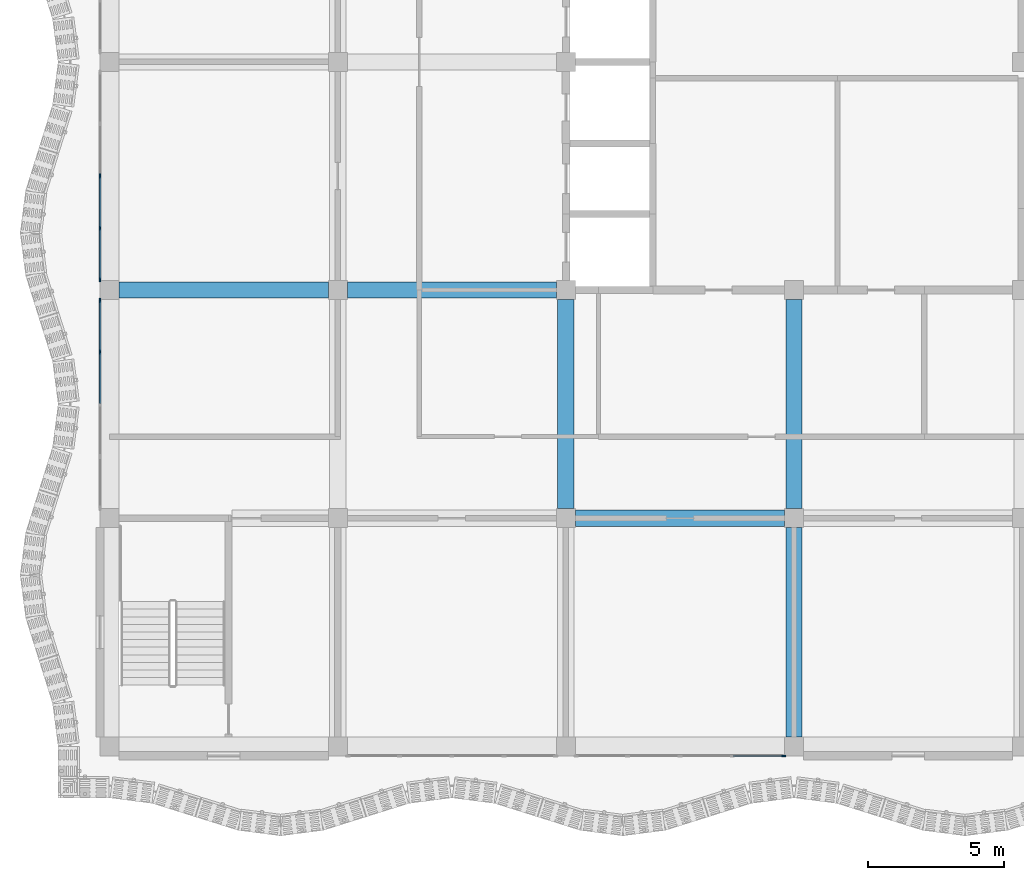
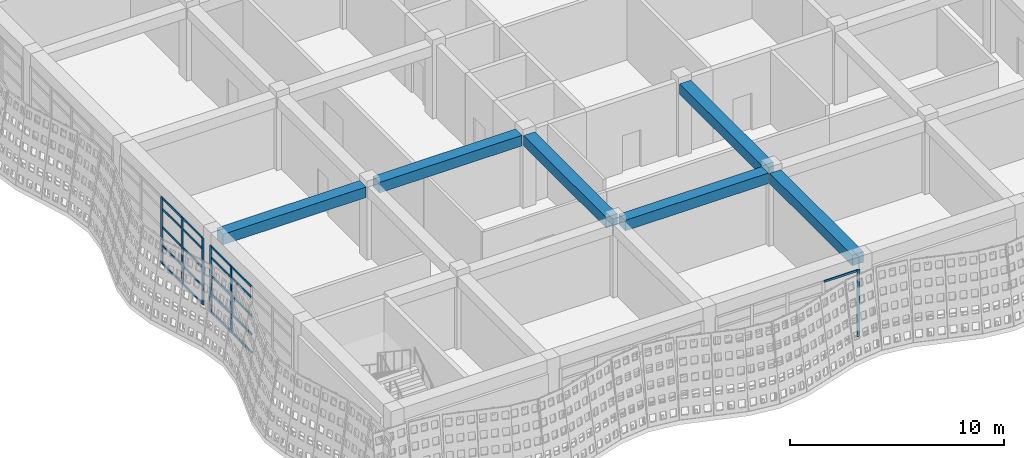
# One storey, part 17 of 162: 27 members, 6 beams, 3 elements without a shape of their own.
"""IFC4 building model written with IfcOpenShell, lengths in metres."""

from ifc_helpers import new_model, si_unit, direction, frame, origin, origin_2d, place, context, subcontext, project, spatial, rectangle, extrude, material, material_profile, profile_set, type_object, element, aggregate, save


model = new_model("IFC4")

# Units and contexts
model_context = context("Model", 3, precision=1e-05, world=origin(), true_north=direction((0.0, 1.0)))
body_context = subcontext(model_context, "Body", "Model", "MODEL_VIEW")
ifc_project = project(units=[si_unit("LENGTHUNIT", "METRE"), si_unit("AREAUNIT", "SQUARE_METRE"), si_unit("VOLUMEUNIT", "CUBIC_METRE"), si_unit("PLANEANGLEUNIT", "RADIAN"), si_unit("MASSUNIT", "GRAM", prefix="KILO")], contexts=[model_context])

# Site, building, storey
site_placement = place(None, origin())
site = spatial("IfcSite", under=ifc_project, at=site_placement, CompositionType="ELEMENT")
building_placement = place(site_placement, origin())
building = spatial("IfcBuilding", under=site, at=building_placement, Name="Rain Tree Exposition and Congress Centre", CompositionType="ELEMENT")
storey_placement = place(building_placement, frame((0.0, 0.0, 6.0)))
storey = spatial("IfcBuildingStorey", under=building, at=storey_placement, Name="L01", CompositionType="ELEMENT", Elevation=6.0)

# Beams
ifc_material_1 = material(Name="Precast concrete C50/60", Category="concrete")
ifc_material_profile_1 = material_profile(ifc_material_1, rectangle(XDim=0.60009765625, YDim=0.60009765625, at=origin_2d()), Name="RC 600x600")
ifc_profile_set_1 = profile_set([ifc_material_profile_1], Name="Precast concrete C50/60")
beam_type = type_object("IfcBeamType", Name="Precast beam 600x600", PredefinedType="BEAM", material=ifc_profile_set_1)
beam_placement = place(storey_placement, frame((17.14990234375, 8.39990234375, 3.85009765625), z_axis=(1.0, 0.0, 0.0), x_axis=(0.0, 1.0, 0.0)))
element("IfcBeam", 1, at=beam_placement, inside=storey, type_object=beam_type, Name="wing/beam/L01/L02/017", PredefinedType="BEAM", context=body_context, shape_type="SweptSolid", body=[
    extrude(rectangle(XDim=0.60009765625, YDim=0.60009765625, at=origin_2d()), origin(), (0.0, 0.0, 1.0), 7.7001953125),
])
for number, where, z_axis, x_axis, name in (
    (2, (0.35009765625, 16.800048828125, 3.85009765625), (1.0, 0.0, 0.0), (0.0, 1.0, 0.0), "wing/beam/L01/L02/025"),
    (3, (8.75, 16.800048828125, 3.85009765625), (1.0, 0.0, 0.0), (0.0, 1.0, 0.0), "wing/beam/L01/L02/027"),
    (4, (16.800048828125, 8.75, 3.85009765625), (0.0, 1.0, 0.0), (-1.0, 0.0, 0.0), "wing/beam/L01/L02/028"),
    (5, (25.199951171875, 0.35009765625, 3.85009765625), (0.0, 1.0, 0.0), (-1.0, 0.0, 0.0), "wing/beam/L01/L02/034"),
    (6, (25.199951171875, 8.75, 3.85009765625), (0.0, 1.0, 0.0), (-1.0, 0.0, 0.0), "wing/beam/L01/L02/036"),
):
    element("IfcBeam", number, at=place(storey_placement, frame(where, z_axis=z_axis, x_axis=x_axis)), inside=storey, type_object=beam_type, Name=name, PredefinedType="BEAM", context=body_context, shape_type="SweptSolid", body=[
        extrude(rectangle(XDim=0.60009765625, YDim=0.60009765625, at=origin_2d()), origin(), (0.0, 0.0, 1.0), 7.699951171875),
    ])

# Curtain wall, member
ifc_material_2 = material(Name="Aluminium curtain wall", Category="aluminium")
curtain_wall_type = type_object("IfcCurtainWallType", Name="Wing curtain wall 1925", PredefinedType="NOTDEFINED", material=ifc_material_2)
curtain_wall_1_placement = place(storey_placement, origin())
curtain_wall_1 = element("IfcCurtainWall", 7, at=curtain_wall_1_placement, inside=storey, type_object=curtain_wall_type, Name="Curtain wall CWW202", PredefinedType="NOTDEFINED")
ifc_material_3 = material(Name="Aluminium", Category="aluminium")
ifc_material_profile_2 = material_profile(ifc_material_3, rectangle(XDim=0.06005859375, YDim=0.159912109375, at=origin_2d()), Name="Aluminium 60x160")
ifc_profile_set_2 = profile_set([ifc_material_profile_2], Name="Aluminium")
member_type_1 = type_object("IfcMemberType", Name="Wing mullion 60x160", PredefinedType="MULLION", material=ifc_profile_set_2)
member_1_placement = place(storey_placement, frame((24.820068359375, -0.35009765625, 0.0), z_axis=(0.0, 0.0, 1.0), x_axis=(0.0, 1.0, 0.0)))
member_1 = element("IfcMember", 8, at=member_1_placement, type_object=member_type_1, Name="CWW202 mullion 5", PredefinedType="MULLION", context=body_context, shape_type="SweptSolid", body=[
    extrude(rectangle(XDim=0.06005859375, YDim=0.159912109375, at=origin_2d()), origin(), (0.0, 0.0, 1.0), 3.800048828125),
])

# Curtain wall, members
curtain_wall_2_placement = place(storey_placement, origin())
curtain_wall_2 = element("IfcCurtainWall", 9, at=curtain_wall_2_placement, inside=storey, type_object=curtain_wall_type, Name="Curtain wall CWW208", PredefinedType="NOTDEFINED")
member_2_placement = place(storey_placement, frame((-0.35009765625, 14.52490234375, 0.0), z_axis=(0.0, 0.0, 1.0), x_axis=(-1.0, 0.0, 0.0)))
member_2 = element("IfcMember", 10, at=member_2_placement, type_object=member_type_1, Name="CWW208 mullion 4", PredefinedType="MULLION", context=body_context, shape_type="SweptSolid", body=[
    extrude(rectangle(XDim=0.06005859375, YDim=0.159912109375, at=origin_2d()), origin(), (0.0, 0.0, 1.0), 3.800048828125),
])
member_3_placement = place(storey_placement, frame((-0.35009765625, 16.419921875, 0.0), z_axis=(0.0, 0.0, 1.0), x_axis=(-1.0, 0.0, 0.0)))
member_3 = element("IfcMember", 11, at=member_3_placement, type_object=member_type_1, Name="CWW208 mullion 5", PredefinedType="MULLION", context=body_context, shape_type="SweptSolid", body=[
    extrude(rectangle(XDim=0.06005859375, YDim=0.159912109375, at=origin_2d()), origin(), (0.0, 0.0, 1.0), 3.800048828125),
])

curtain_wall_3_placement = place(storey_placement, origin())
curtain_wall_3 = element("IfcCurtainWall", 12, at=curtain_wall_3_placement, inside=storey, type_object=curtain_wall_type, Name="Curtain wall CWW209", PredefinedType="NOTDEFINED")
member_4_placement = place(storey_placement, frame((-0.35009765625, 17.179931640625, 0.0), z_axis=(0.0, 0.0, 1.0), x_axis=(-1.0, 0.0, 0.0)))
member_4 = element("IfcMember", 13, at=member_4_placement, type_object=member_type_1, Name="CWW209 mullion 1", PredefinedType="MULLION", context=body_context, shape_type="SweptSolid", body=[
    extrude(rectangle(XDim=0.06005859375, YDim=0.159912109375, at=origin_2d()), origin(), (0.0, 0.0, 1.0), 3.800048828125),
])
member_5_placement = place(storey_placement, frame((-0.35009765625, 19.074951171875, 0.0), z_axis=(0.0, 0.0, 1.0), x_axis=(-1.0, 0.0, 0.0)))
member_5 = element("IfcMember", 14, at=member_5_placement, type_object=member_type_1, Name="CWW209 mullion 2", PredefinedType="MULLION", context=body_context, shape_type="SweptSolid", body=[
    extrude(rectangle(XDim=0.06005859375, YDim=0.159912109375, at=origin_2d()), origin(), (0.0, 0.0, 1.0), 3.800048828125),
])
member_6_placement = place(storey_placement, frame((-0.35009765625, 21.0, 0.0), z_axis=(0.0, 0.0, 1.0), x_axis=(-1.0, 0.0, 0.0)))
member_6 = element("IfcMember", 15, at=member_6_placement, type_object=member_type_1, Name="CWW209 mullion 3", PredefinedType="MULLION", context=body_context, shape_type="SweptSolid", body=[
    extrude(rectangle(XDim=0.06005859375, YDim=0.159912109375, at=origin_2d()), origin(), (0.0, 0.0, 1.0), 3.800048828125),
])

# Member
ifc_material_4 = material(Name="Aluminium", Category="aluminium")
ifc_material_profile_3 = material_profile(ifc_material_4, rectangle(XDim=0.06005859375, YDim=0.1201171875, at=origin_2d()), Name="Aluminium 60x120")
ifc_profile_set_3 = profile_set([ifc_material_profile_3], Name="Aluminium")
member_type_2 = type_object("IfcMemberType", Name="Wing transom 60x120", PredefinedType="USERDEFINED", material=ifc_profile_set_3)
member_7_placement = place(storey_placement, frame((22.955078125, -0.35009765625, 3.77001953125), z_axis=(1.0, 0.0, 0.0), x_axis=(0.0, 1.0, 0.0)))
member_7 = element("IfcMember", 16, at=member_7_placement, type_object=member_type_2, Name="CWW202 transom 4.5", ObjectType="TRANSOM", PredefinedType="USERDEFINED", context=body_context, shape_type="SweptSolid", body=[
    extrude(rectangle(XDim=0.06005859375, YDim=0.1201171875, at=origin_2d()), origin(), (0.0, 0.0, 1.0), 1.8349609375),
])

aggregate(curtain_wall_1, [member_1, member_7])

member_8_placement = place(storey_placement, frame((-0.35009765625, 12.6298828125, 0.030029296875), z_axis=(0.0, 1.0, 0.0), x_axis=(-1.0, 0.0, 0.0)))
member_8 = element("IfcMember", 17, at=member_8_placement, type_object=member_type_2, Name="CWW208 transom 3.1", ObjectType="TRANSOM", PredefinedType="USERDEFINED", context=body_context, shape_type="SweptSolid", body=[
    extrude(rectangle(XDim=0.06005859375, YDim=0.1201171875, at=origin_2d()), origin(), (0.0, 0.0, 1.0), 1.865234375),
])

member_9_placement = place(storey_placement, frame((-0.35009765625, 12.6298828125, 1.050048828125), z_axis=(0.0, 1.0, 0.0), x_axis=(-1.0, 0.0, 0.0)))
member_9 = element("IfcMember", 18, at=member_9_placement, type_object=member_type_2, Name="CWW208 transom 3.2", ObjectType="TRANSOM", PredefinedType="USERDEFINED", context=body_context, shape_type="SweptSolid", body=[
    extrude(rectangle(XDim=0.06005859375, YDim=0.1201171875, at=origin_2d()), origin(), (0.0, 0.0, 1.0), 1.865234375),
])

member_10_placement = place(storey_placement, frame((-0.35009765625, 12.6298828125, 2.10009765625), z_axis=(0.0, 1.0, 0.0), x_axis=(-1.0, 0.0, 0.0)))
member_10 = element("IfcMember", 19, at=member_10_placement, type_object=member_type_2, Name="CWW208 transom 3.3", ObjectType="TRANSOM", PredefinedType="USERDEFINED", context=body_context, shape_type="SweptSolid", body=[
    extrude(rectangle(XDim=0.06005859375, YDim=0.1201171875, at=origin_2d()), origin(), (0.0, 0.0, 1.0), 1.865234375),
])

member_11_placement = place(storey_placement, frame((-0.35009765625, 12.6298828125, 3.14990234375), z_axis=(0.0, 1.0, 0.0), x_axis=(-1.0, 0.0, 0.0)))
member_11 = element("IfcMember", 20, at=member_11_placement, type_object=member_type_2, Name="CWW208 transom 3.4", ObjectType="TRANSOM", PredefinedType="USERDEFINED", context=body_context, shape_type="SweptSolid", body=[
    extrude(rectangle(XDim=0.06005859375, YDim=0.1201171875, at=origin_2d()), origin(), (0.0, 0.0, 1.0), 1.865234375),
])

member_12_placement = place(storey_placement, frame((-0.35009765625, 12.6298828125, 3.77001953125), z_axis=(0.0, 1.0, 0.0), x_axis=(-1.0, 0.0, 0.0)))
member_12 = element("IfcMember", 21, at=member_12_placement, type_object=member_type_2, Name="CWW208 transom 3.5", ObjectType="TRANSOM", PredefinedType="USERDEFINED", context=body_context, shape_type="SweptSolid", body=[
    extrude(rectangle(XDim=0.06005859375, YDim=0.1201171875, at=origin_2d()), origin(), (0.0, 0.0, 1.0), 1.865234375),
])

member_13_placement = place(storey_placement, frame((-0.35009765625, 14.554931640625, 0.030029296875), z_axis=(0.0, 1.0, 0.0), x_axis=(-1.0, 0.0, 0.0)))
member_13 = element("IfcMember", 22, at=member_13_placement, type_object=member_type_2, Name="CWW208 transom 4.1", ObjectType="TRANSOM", PredefinedType="USERDEFINED", context=body_context, shape_type="SweptSolid", body=[
    extrude(rectangle(XDim=0.06005859375, YDim=0.1201171875, at=origin_2d()), origin(), (0.0, 0.0, 1.0), 1.8349609375),
])

member_14_placement = place(storey_placement, frame((-0.35009765625, 14.554931640625, 1.050048828125), z_axis=(0.0, 1.0, 0.0), x_axis=(-1.0, 0.0, 0.0)))
member_14 = element("IfcMember", 23, at=member_14_placement, type_object=member_type_2, Name="CWW208 transom 4.2", ObjectType="TRANSOM", PredefinedType="USERDEFINED", context=body_context, shape_type="SweptSolid", body=[
    extrude(rectangle(XDim=0.06005859375, YDim=0.1201171875, at=origin_2d()), origin(), (0.0, 0.0, 1.0), 1.8349609375),
])

member_15_placement = place(storey_placement, frame((-0.35009765625, 14.554931640625, 2.10009765625), z_axis=(0.0, 1.0, 0.0), x_axis=(-1.0, 0.0, 0.0)))
member_15 = element("IfcMember", 24, at=member_15_placement, type_object=member_type_2, Name="CWW208 transom 4.3", ObjectType="TRANSOM", PredefinedType="USERDEFINED", context=body_context, shape_type="SweptSolid", body=[
    extrude(rectangle(XDim=0.06005859375, YDim=0.1201171875, at=origin_2d()), origin(), (0.0, 0.0, 1.0), 1.8349609375),
])

member_16_placement = place(storey_placement, frame((-0.35009765625, 14.554931640625, 3.14990234375), z_axis=(0.0, 1.0, 0.0), x_axis=(-1.0, 0.0, 0.0)))
member_16 = element("IfcMember", 25, at=member_16_placement, type_object=member_type_2, Name="CWW208 transom 4.4", ObjectType="TRANSOM", PredefinedType="USERDEFINED", context=body_context, shape_type="SweptSolid", body=[
    extrude(rectangle(XDim=0.06005859375, YDim=0.1201171875, at=origin_2d()), origin(), (0.0, 0.0, 1.0), 1.8349609375),
])

member_17_placement = place(storey_placement, frame((-0.35009765625, 14.554931640625, 3.77001953125), z_axis=(0.0, 1.0, 0.0), x_axis=(-1.0, 0.0, 0.0)))
member_17 = element("IfcMember", 26, at=member_17_placement, type_object=member_type_2, Name="CWW208 transom 4.5", ObjectType="TRANSOM", PredefinedType="USERDEFINED", context=body_context, shape_type="SweptSolid", body=[
    extrude(rectangle(XDim=0.06005859375, YDim=0.1201171875, at=origin_2d()), origin(), (0.0, 0.0, 1.0), 1.8349609375),
])

aggregate(curtain_wall_2, [member_2, member_3, member_8, member_9, member_10, member_11, member_12, member_13, member_14, member_15, member_16, member_17])

member_18_placement = place(storey_placement, frame((-0.35009765625, 17.2099609375, 0.030029296875), z_axis=(0.0, 1.0, 0.0), x_axis=(-1.0, 0.0, 0.0)))
member_18 = element("IfcMember", 27, at=member_18_placement, type_object=member_type_2, Name="CWW209 transom 1.1", ObjectType="TRANSOM", PredefinedType="USERDEFINED", context=body_context, shape_type="SweptSolid", body=[
    extrude(rectangle(XDim=0.06005859375, YDim=0.1201171875, at=origin_2d()), origin(), (0.0, 0.0, 1.0), 1.8349609375),
])

member_19_placement = place(storey_placement, frame((-0.35009765625, 17.2099609375, 1.050048828125), z_axis=(0.0, 1.0, 0.0), x_axis=(-1.0, 0.0, 0.0)))
member_19 = element("IfcMember", 28, at=member_19_placement, type_object=member_type_2, Name="CWW209 transom 1.2", ObjectType="TRANSOM", PredefinedType="USERDEFINED", context=body_context, shape_type="SweptSolid", body=[
    extrude(rectangle(XDim=0.06005859375, YDim=0.1201171875, at=origin_2d()), origin(), (0.0, 0.0, 1.0), 1.8349609375),
])

member_20_placement = place(storey_placement, frame((-0.35009765625, 17.2099609375, 2.10009765625), z_axis=(0.0, 1.0, 0.0), x_axis=(-1.0, 0.0, 0.0)))
member_20 = element("IfcMember", 29, at=member_20_placement, type_object=member_type_2, Name="CWW209 transom 1.3", ObjectType="TRANSOM", PredefinedType="USERDEFINED", context=body_context, shape_type="SweptSolid", body=[
    extrude(rectangle(XDim=0.06005859375, YDim=0.1201171875, at=origin_2d()), origin(), (0.0, 0.0, 1.0), 1.8349609375),
])

member_21_placement = place(storey_placement, frame((-0.35009765625, 17.2099609375, 3.14990234375), z_axis=(0.0, 1.0, 0.0), x_axis=(-1.0, 0.0, 0.0)))
member_21 = element("IfcMember", 30, at=member_21_placement, type_object=member_type_2, Name="CWW209 transom 1.4", ObjectType="TRANSOM", PredefinedType="USERDEFINED", context=body_context, shape_type="SweptSolid", body=[
    extrude(rectangle(XDim=0.06005859375, YDim=0.1201171875, at=origin_2d()), origin(), (0.0, 0.0, 1.0), 1.8349609375),
])

member_22_placement = place(storey_placement, frame((-0.35009765625, 17.2099609375, 3.77001953125), z_axis=(0.0, 1.0, 0.0), x_axis=(-1.0, 0.0, 0.0)))
member_22 = element("IfcMember", 31, at=member_22_placement, type_object=member_type_2, Name="CWW209 transom 1.5", ObjectType="TRANSOM", PredefinedType="USERDEFINED", context=body_context, shape_type="SweptSolid", body=[
    extrude(rectangle(XDim=0.06005859375, YDim=0.1201171875, at=origin_2d()), origin(), (0.0, 0.0, 1.0), 1.8349609375),
])

member_23_placement = place(storey_placement, frame((-0.35009765625, 19.10498046875, 0.030029296875), z_axis=(0.0, 1.0, 0.0), x_axis=(-1.0, 0.0, 0.0)))
member_23 = element("IfcMember", 32, at=member_23_placement, type_object=member_type_2, Name="CWW209 transom 2.1", ObjectType="TRANSOM", PredefinedType="USERDEFINED", context=body_context, shape_type="SweptSolid", body=[
    extrude(rectangle(XDim=0.06005859375, YDim=0.1201171875, at=origin_2d()), origin(), (0.0, 0.0, 1.0), 1.864990234375),
])

member_24_placement = place(storey_placement, frame((-0.35009765625, 19.10498046875, 1.050048828125), z_axis=(0.0, 1.0, 0.0), x_axis=(-1.0, 0.0, 0.0)))
member_24 = element("IfcMember", 33, at=member_24_placement, type_object=member_type_2, Name="CWW209 transom 2.2", ObjectType="TRANSOM", PredefinedType="USERDEFINED", context=body_context, shape_type="SweptSolid", body=[
    extrude(rectangle(XDim=0.06005859375, YDim=0.1201171875, at=origin_2d()), origin(), (0.0, 0.0, 1.0), 1.864990234375),
])

member_25_placement = place(storey_placement, frame((-0.35009765625, 19.10498046875, 2.10009765625), z_axis=(0.0, 1.0, 0.0), x_axis=(-1.0, 0.0, 0.0)))
member_25 = element("IfcMember", 34, at=member_25_placement, type_object=member_type_2, Name="CWW209 transom 2.3", ObjectType="TRANSOM", PredefinedType="USERDEFINED", context=body_context, shape_type="SweptSolid", body=[
    extrude(rectangle(XDim=0.06005859375, YDim=0.1201171875, at=origin_2d()), origin(), (0.0, 0.0, 1.0), 1.864990234375),
])

member_26_placement = place(storey_placement, frame((-0.35009765625, 19.10498046875, 3.14990234375), z_axis=(0.0, 1.0, 0.0), x_axis=(-1.0, 0.0, 0.0)))
member_26 = element("IfcMember", 35, at=member_26_placement, type_object=member_type_2, Name="CWW209 transom 2.4", ObjectType="TRANSOM", PredefinedType="USERDEFINED", context=body_context, shape_type="SweptSolid", body=[
    extrude(rectangle(XDim=0.06005859375, YDim=0.1201171875, at=origin_2d()), origin(), (0.0, 0.0, 1.0), 1.864990234375),
])

member_27_placement = place(storey_placement, frame((-0.35009765625, 19.10498046875, 3.77001953125), z_axis=(0.0, 1.0, 0.0), x_axis=(-1.0, 0.0, 0.0)))
member_27 = element("IfcMember", 36, at=member_27_placement, type_object=member_type_2, Name="CWW209 transom 2.5", ObjectType="TRANSOM", PredefinedType="USERDEFINED", context=body_context, shape_type="SweptSolid", body=[
    extrude(rectangle(XDim=0.06005859375, YDim=0.1201171875, at=origin_2d()), origin(), (0.0, 0.0, 1.0), 1.864990234375),
])

aggregate(curtain_wall_3, [member_4, member_5, member_6, member_18, member_19, member_20, member_21, member_22, member_23, member_24, member_25, member_26, member_27])

save(model, "model.ifc")
